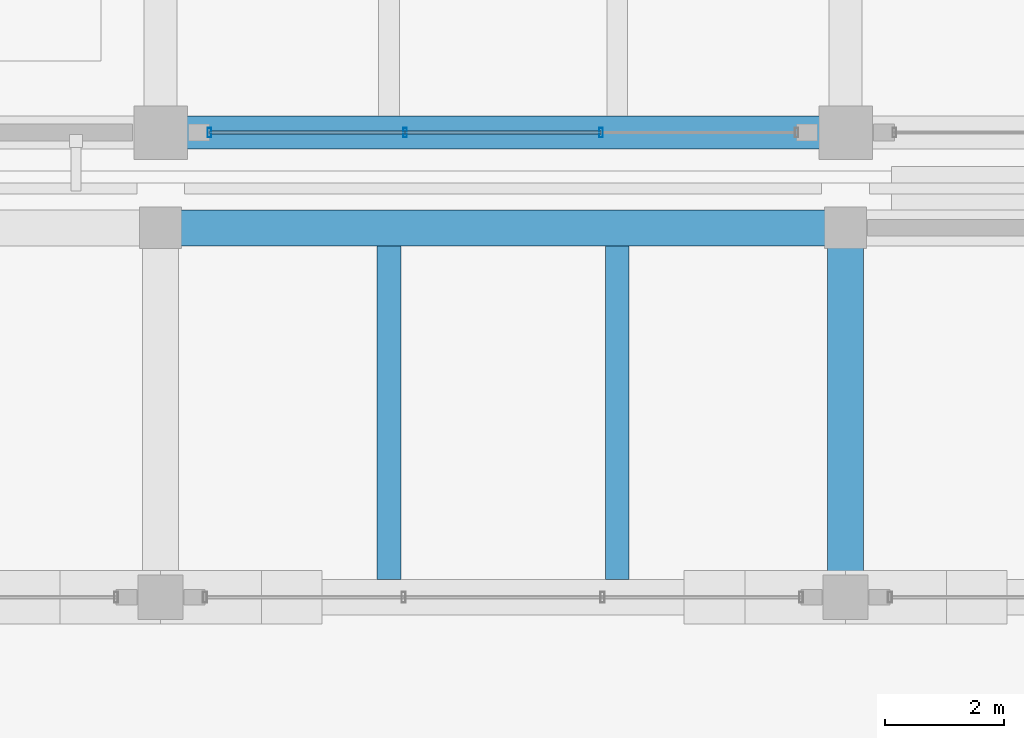
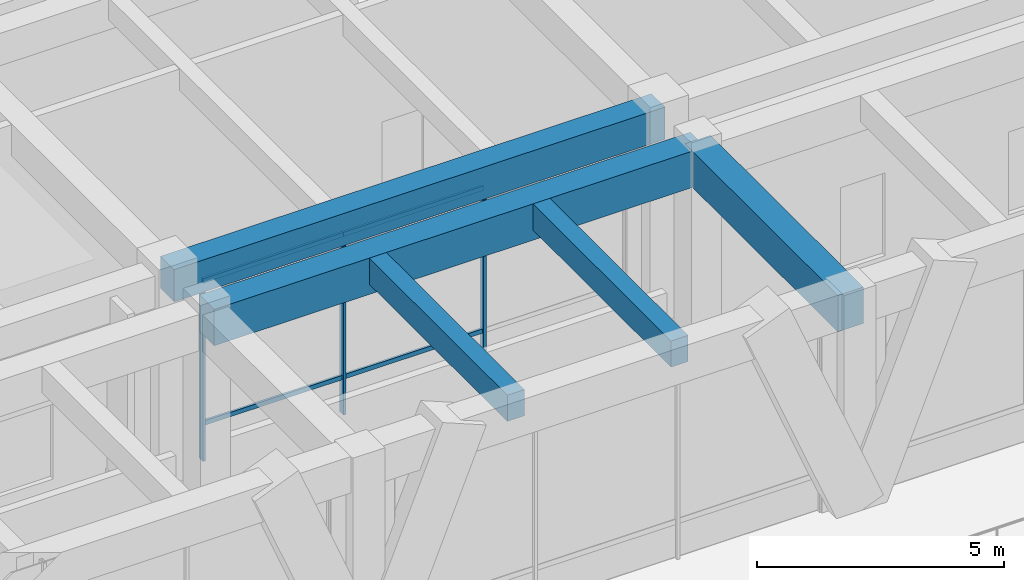
# One storey, part 100 of 148: 7 members, 5 beams, 1 element without a shape of its own.
"""IFC4 building model written with IfcOpenShell, lengths in metres."""

from ifc_helpers import new_model, si_unit, direction, frame, origin, origin_2d, place, context, subcontext, project, spatial, rectangle, hollow_rectangle, extrude, material, material_profile, profile_set, type_object, element, aggregate, save


model = new_model("IFC4")

# Units and contexts
model_context = context("Model", 3, precision=1e-05, world=origin(), true_north=direction((0.0, 1.0)))
body_context = subcontext(model_context, "Body", "Model", "MODEL_VIEW")
ifc_project = project(units=[si_unit("LENGTHUNIT", "METRE"), si_unit("AREAUNIT", "SQUARE_METRE"), si_unit("VOLUMEUNIT", "CUBIC_METRE"), si_unit("PLANEANGLEUNIT", "RADIAN"), si_unit("MASSUNIT", "GRAM", prefix="KILO")], contexts=[model_context])

# Site, building, storey
site_placement = place(None, origin())
site = spatial("IfcSite", under=ifc_project, at=site_placement, CompositionType="ELEMENT")
building_placement = place(site_placement, origin())
building = spatial("IfcBuilding", under=site, at=building_placement, Name="Ologun Quay Terminus", CompositionType="ELEMENT")
storey_placement = place(building_placement, frame((0.0, 0.0, 8.39990234375)))
storey = spatial("IfcBuildingStorey", under=building, at=storey_placement, Name="L02", CompositionType="ELEMENT", Elevation=8.39990234375)

# Curtain wall, members
ifc_material_1 = material(Name="Aluminium 6063-T6", Category="aluminium")
curtain_wall_type = type_object("IfcCurtainWallType", Name="Waterfront Pavilion Harbour Curtain Wall L02 10500x5000", PredefinedType="USERDEFINED", material=ifc_material_1)
curtain_wall_placement = place(storey_placement, origin())
curtain_wall = element("IfcCurtainWall", 1, at=curtain_wall_placement, inside=storey, type_object=curtain_wall_type, Name="CW-24 Curtain Wall CW-L02-131", ObjectType="UNITISED CURTAIN WALL", PredefinedType="USERDEFINED")
ifc_material_2 = material(Name="Aluminium 6063-T6", Category="aluminium")
ifc_material_profile_1 = material_profile(ifc_material_2, hollow_rectangle(XDim=0.06005859375, YDim=0.159912109375, WallThickness=0.00390625, at=origin_2d()), Name="ALU 160x60x4")
ifc_profile_set_1 = profile_set([ifc_material_profile_1], Name="Aluminium 6063-T6")
member_type_1 = type_object("IfcMemberType", Name="Courtyard Screen Mullion 160x65", PredefinedType="MULLION", material=ifc_profile_set_1)
member_1_placement = place(storey_placement, frame((127.320068359375, 85.800048828125, 0.0), z_axis=(0.0, 0.0, 1.0), x_axis=(1.0, 0.0, 0.0)))
member_1 = element("IfcMember", 2, at=member_1_placement, type_object=member_type_1, Name="CW-L02-131 Mullion 1", PredefinedType="MULLION", context=body_context, shape_type="SweptSolid", body=[
    extrude(hollow_rectangle(XDim=0.06005859375, YDim=0.159912109375, WallThickness=0.00390625, at=origin_2d()), origin(), (0.0, 0.0, 1.0), 5.130126953125),
])
member_2_placement = place(storey_placement, frame((130.606689453125, 85.800048828125, 0.0), z_axis=(0.0, 0.0, 1.0), x_axis=(1.0, 0.0, 0.0)))
member_2 = element("IfcMember", 3, at=member_2_placement, type_object=member_type_1, Name="CW-L02-131 Mullion 2", PredefinedType="MULLION", context=body_context, shape_type="SweptSolid", body=[
    extrude(hollow_rectangle(XDim=0.06005859375, YDim=0.159912109375, WallThickness=0.00390625, at=origin_2d()), origin(), (0.0, 0.0, 1.0), 5.130126953125),
])
member_3_placement = place(storey_placement, frame((133.893310546875, 85.800048828125, 0.0), z_axis=(0.0, 0.0, 1.0), x_axis=(1.0, 0.0, 0.0)))
member_3 = element("IfcMember", 4, at=member_3_placement, type_object=member_type_1, Name="CW-L02-131 Mullion 3", PredefinedType="MULLION", context=body_context, shape_type="SweptSolid", body=[
    extrude(hollow_rectangle(XDim=0.06005859375, YDim=0.159912109375, WallThickness=0.00390625, at=origin_2d()), origin(), (0.0, 0.0, 1.0), 5.130126953125),
])
ifc_material_3 = material(Name="Aluminium 6063-T6", Category="aluminium")
ifc_material_profile_2 = material_profile(ifc_material_3, hollow_rectangle(XDim=0.054931640625, YDim=0.110107421875, WallThickness=0.00390625, at=origin_2d()), Name="ALU 110x55x4")
ifc_profile_set_2 = profile_set([ifc_material_profile_2], Name="Aluminium 6063-T6")
member_type_2 = type_object("IfcMemberType", Name="Courtyard Screen Transom 110x55", PredefinedType="USERDEFINED", material=ifc_profile_set_2)
member_4_placement = place(storey_placement, frame((127.320068359375, 85.800048828125, 0.900146484375), z_axis=(1.0, 0.0, 0.0), x_axis=(0.0, 1.0, 0.0)))
member_4 = element("IfcMember", 5, at=member_4_placement, type_object=member_type_2, Name="CW-L02-131 Transom B1-1", ObjectType="TRANSOM", PredefinedType="USERDEFINED", context=body_context, shape_type="SweptSolid", body=[
    extrude(hollow_rectangle(XDim=0.054931640625, YDim=0.110107421875, WallThickness=0.00390625, at=origin_2d()), origin(), (0.0, 0.0, 1.0), 3.28662109375),
])
member_5_placement = place(storey_placement, frame((127.320068359375, 85.800048828125, 4.43017578125), z_axis=(1.0, 0.0, 0.0), x_axis=(0.0, 1.0, 0.0)))
member_5 = element("IfcMember", 6, at=member_5_placement, type_object=member_type_2, Name="CW-L02-131 Transom B1-2", ObjectType="TRANSOM", PredefinedType="USERDEFINED", context=body_context, shape_type="SweptSolid", body=[
    extrude(hollow_rectangle(XDim=0.054931640625, YDim=0.110107421875, WallThickness=0.00390625, at=origin_2d()), origin(), (0.0, 0.0, 1.0), 3.28662109375),
])
member_6_placement = place(storey_placement, frame((130.606689453125, 85.800048828125, 0.900146484375), z_axis=(1.0, 0.0, 0.0), x_axis=(0.0, 1.0, 0.0)))
member_6 = element("IfcMember", 7, at=member_6_placement, type_object=member_type_2, Name="CW-L02-131 Transom B2-1", ObjectType="TRANSOM", PredefinedType="USERDEFINED", context=body_context, shape_type="SweptSolid", body=[
    extrude(hollow_rectangle(XDim=0.054931640625, YDim=0.110107421875, WallThickness=0.00390625, at=origin_2d()), origin(), (0.0, 0.0, 1.0), 3.28662109375),
])
member_7_placement = place(storey_placement, frame((130.606689453125, 85.800048828125, 4.43017578125), z_axis=(1.0, 0.0, 0.0), x_axis=(0.0, 1.0, 0.0)))
member_7 = element("IfcMember", 8, at=member_7_placement, type_object=member_type_2, Name="CW-L02-131 Transom B2-2", ObjectType="TRANSOM", PredefinedType="USERDEFINED", context=body_context, shape_type="SweptSolid", body=[
    extrude(hollow_rectangle(XDim=0.054931640625, YDim=0.110107421875, WallThickness=0.00390625, at=origin_2d()), origin(), (0.0, 0.0, 1.0), 3.28662109375),
])
aggregate(curtain_wall, [member_1, member_2, member_3, member_4, member_5, member_6, member_7])

# Beams
ifc_material_4 = material(Name="Concrete C40/50", Category="concrete")
ifc_material_profile_3 = material_profile(ifc_material_4, rectangle(XDim=0.550048828125, YDim=0.800048828125, at=origin_2d()), Name="RC 550x800")
ifc_profile_set_3 = profile_set([ifc_material_profile_3], Name="Concrete C40/50")
beam_type_1 = type_object("IfcBeamType", Name="Courtyard Wing Primary Girder 550x800", PredefinedType="BEAM", material=ifc_profile_set_3)
beam_1_placement = place(storey_placement, frame((126.5, 85.800048828125, 4.75), z_axis=(1.0, 0.0, 0.0), x_axis=(0.0, 1.0, 0.0)))
element("IfcBeam", 9, at=beam_1_placement, inside=storey, type_object=beam_type_1, Name="B4 Beam 12/G2 L02", PredefinedType="BEAM", context=body_context, shape_type="SweptSolid", body=[
    extrude(rectangle(XDim=0.550048828125, YDim=0.800048828125, at=origin_2d()), origin(), (0.0, 0.0, 1.0), 11.5),
])
ifc_material_5 = material(Name="Concrete C40/50", Category="concrete")
ifc_material_profile_4 = material_profile(ifc_material_5, rectangle(XDim=0.60009765625, YDim=0.89990234375, at=origin_2d()), Name="RC 600x900")
ifc_profile_set_4 = profile_set([ifc_material_profile_4], Name="Concrete C40/50")
beam_type_2 = type_object("IfcBeamType", Name="Station Frame Girder 600x900", PredefinedType="BEAM", material=ifc_profile_set_4)
beam_2_placement = place(storey_placement, frame((126.5, 84.199951171875, 4.7001953125), z_axis=(1.0, 0.0, 0.0), x_axis=(0.0, 1.0, 0.0)))
element("IfcBeam", 10, at=beam_2_placement, inside=storey, type_object=beam_type_2, Name="B3 Beam 12/G1 L02", PredefinedType="BEAM", context=body_context, shape_type="SweptSolid", body=[
    extrude(rectangle(XDim=0.60009765625, YDim=0.89990234375, at=origin_2d()), origin(), (0.0, 0.0, 1.0), 11.5),
])
beam_3_placement = place(storey_placement, frame((138.0, 78.0, 4.7001953125), z_axis=(0.0, 1.0, 0.0), x_axis=(-1.0, 0.0, 0.0)))
element("IfcBeam", 11, at=beam_3_placement, inside=storey, type_object=beam_type_2, Name="B3 Beam 13/F L02", PredefinedType="BEAM", context=body_context, shape_type="SweptSolid", body=[
    extrude(rectangle(XDim=0.60009765625, YDim=0.89990234375, at=origin_2d()), origin(), (0.0, 0.0, 1.0), 6.199951171875),
])
ifc_material_6 = material(Name="Concrete C40/50", Category="concrete")
ifc_material_profile_5 = material_profile(ifc_material_6, rectangle(XDim=0.39990234375, YDim=0.64990234375, at=origin_2d()), Name="RC 400x650")
ifc_profile_set_5 = profile_set([ifc_material_profile_5], Name="Concrete C40/50")
beam_type_3 = type_object("IfcBeamType", Name="Station Secondary Joist 400x650", PredefinedType="JOIST", material=ifc_profile_set_5)
for number, where, z_axis, x_axis, name in (
    (12, (130.333251953125, 78.300048828125, 4.8251953125), (0.0, 1.0, 0.0), (-1.0, 0.0, 0.0), "J1 Beam 12/F L02"),
    (13, (134.166748046875, 78.300048828125, 4.8251953125), (0.0, 1.0, 0.0), (-1.0, 0.0, 0.0), "J1 Beam 12/F L02"),
):
    element("IfcBeam", number, at=place(storey_placement, frame(where, z_axis=z_axis, x_axis=x_axis)), inside=storey, type_object=beam_type_3, Name=name, PredefinedType="JOIST", context=body_context, shape_type="SweptSolid", body=[
        extrude(rectangle(XDim=0.39990234375, YDim=0.64990234375, at=origin_2d()), origin(), (0.0, 0.0, 1.0), 5.599853515625),
    ])

save(model, "model.ifc")
